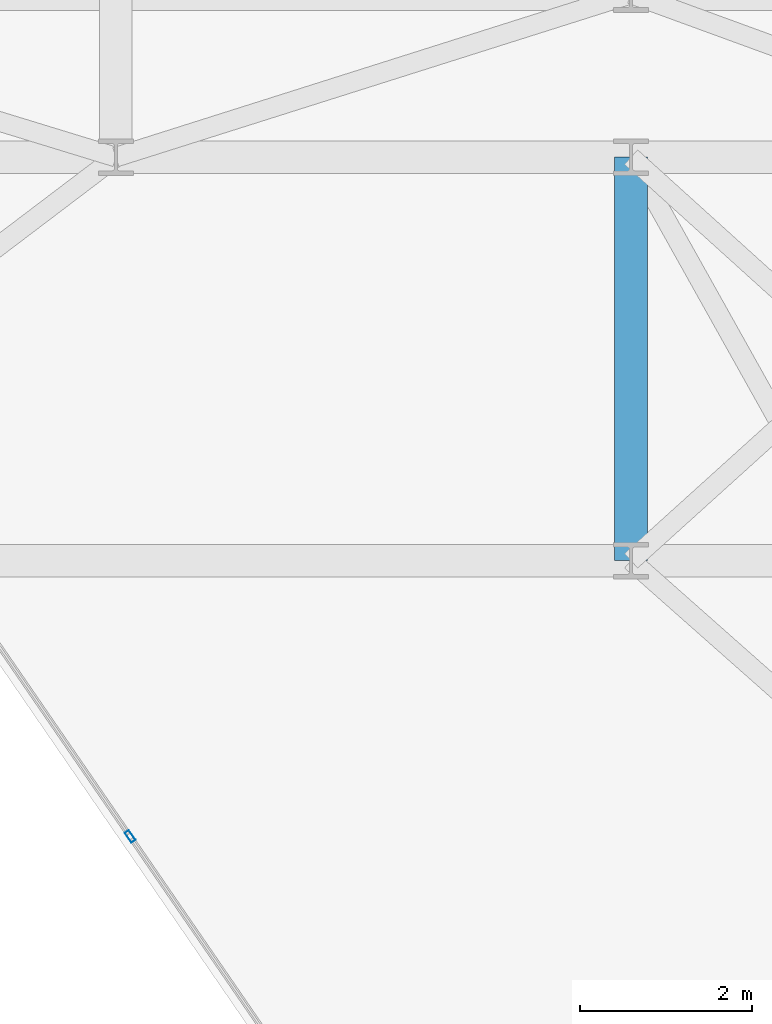
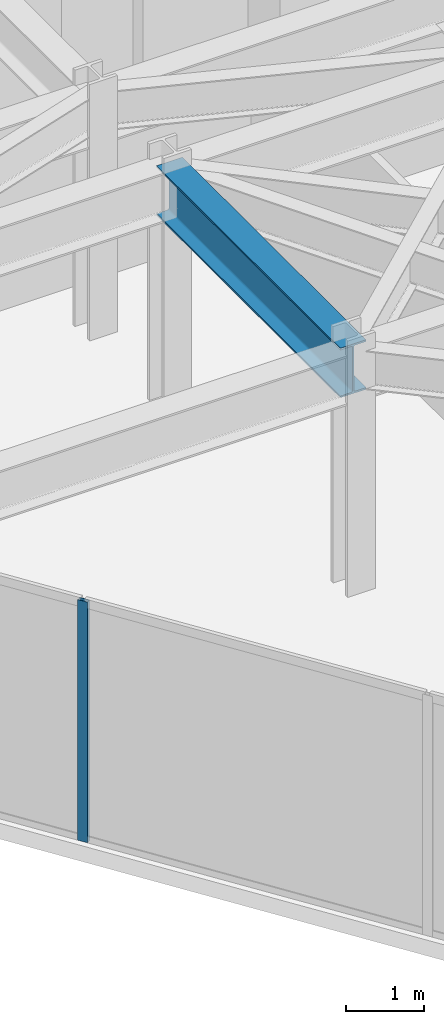
# One storey, part 12 of 21: 1 beam, 1 member, 1 element without a shape of its own.
"""IFC4 building model written with IfcOpenShell, lengths in metres."""

from ifc_helpers import new_model, si_unit, direction, frame, origin, origin_2d, place, context, subcontext, project, spatial, hollow_rectangle, i_section, extrude, material, layer, layer_set, material_profile, profile_set, type_object, element, aggregate, save


model = new_model("IFC4")

# Units and contexts
model_context = context("Model", 3, precision=1e-05, world=origin(), true_north=direction((0.0, 1.0)))
body_context = subcontext(model_context, "Body", "Model", "MODEL_VIEW")
ifc_project = project(units=[si_unit("LENGTHUNIT", "METRE"), si_unit("AREAUNIT", "SQUARE_METRE"), si_unit("VOLUMEUNIT", "CUBIC_METRE"), si_unit("PLANEANGLEUNIT", "RADIAN"), si_unit("MASSUNIT", "GRAM", prefix="KILO")], contexts=[model_context])

# Site, building, storey
site_placement = place(None, origin())
site = spatial("IfcSite", under=ifc_project, at=site_placement, CompositionType="ELEMENT")
building_placement = place(site_placement, origin())
building = spatial("IfcBuilding", under=site, at=building_placement, Name="Kravanh Interchange Tower", CompositionType="ELEMENT")
storey_placement = place(building_placement, frame((0.0, 0.0, 160.5)))
storey = spatial("IfcBuildingStorey", under=building, at=storey_placement, Name="L38", CompositionType="ELEMENT", Elevation=160.5)

# Curtain wall, member
ifc_material_1 = material(Name="Anodised Bronze Aluminium", Category="aluminium")
ifc_layer = layer(ifc_material_1, 0.179931640625)
ifc_layer_set = layer_set([ifc_layer], Name="Unitised Curtain Wall System CW-Z3 Upper Office")
curtain_wall_type = type_object("IfcCurtainWallType", Name="Unitised Curtain Wall System CW-Z3 Upper Office", PredefinedType="NOTDEFINED", material=ifc_layer_set)
curtain_wall_placement = place(storey_placement, origin())
curtain_wall = element("IfcCurtainWall", 1, at=curtain_wall_placement, inside=storey, type_object=curtain_wall_type, Name="L38 Unitised Curtain Wall CW-L38-04", PredefinedType="NOTDEFINED")
ifc_material_2 = material(Name="Anodised Bronze Aluminium", Category="aluminium")
ifc_material_profile_1 = material_profile(ifc_material_2, hollow_rectangle(XDim=0.06005859375, YDim=0.139892578125, WallThickness=0.00390625, at=origin_2d()), Name="ALU60X140X4")
ifc_profile_set_1 = profile_set([ifc_material_profile_1], Name="Anodised Bronze Aluminium")
member_type = type_object("IfcMemberType", Name="Curtain Wall Mullion ALU60X140X4 Bronze", PredefinedType="MULLION", material=ifc_profile_set_1)
member_placement = place(storey_placement, frame((44.9658203125, 23.5888671875, 0.0), z_axis=(0.0, 0.0, 1.0), x_axis=(-0.824042223035, -0.566528388217, 0.0)))
member = element("IfcMember", 2, at=member_placement, type_object=member_type, Name="CW-Z3 mullion 4", PredefinedType="MULLION", context=body_context, shape_type="SweptSolid", body=[
    extrude(hollow_rectangle(XDim=0.06005859375, YDim=0.139892578125, WallThickness=0.00390625, at=origin_2d()), origin(), (0.0, 0.0, 1.0), 3.7548828125),
])
aggregate(curtain_wall, [member])

# Beam
ifc_material_3 = material(Name="Structural Steel S355", Category="steel")
ifc_material_profile_2 = material_profile(ifc_material_3, i_section(OverallWidth=0.381103515625, OverallDepth=0.77294921875, WebThickness=0.0166015625, FlangeThickness=0.027099609375, FilletRadius=0.02490234375, at=origin_2d()), Name="W30X173")
ifc_profile_set_2 = profile_set([ifc_material_profile_2], Name="Structural Steel S355")
beam_type = type_object("IfcBeamType", Name="Floor Beam W30X173 Structural Steel S355", PredefinedType="BEAM", material=ifc_profile_set_2)
beam_placement = place(storey_placement, frame((50.800048828125, 26.800048828125, 3.368408203125), z_axis=(0.0, 1.0, 0.0), x_axis=(-1.0, 0.0, 0.0)))
element("IfcBeam", 3, at=beam_placement, inside=storey, type_object=beam_type, Name="L38 Primary Floor Girder 49", PredefinedType="BEAM", context=body_context, shape_type="SweptSolid", body=[
    extrude(i_section(OverallWidth=0.381103515625, OverallDepth=0.77294921875, WebThickness=0.0166015625, FlangeThickness=0.027099609375, FilletRadius=0.02490234375, at=origin_2d()), origin(), (0.0, 0.0, 1.0), 4.699951171875),
])

save(model, "model.ifc")
